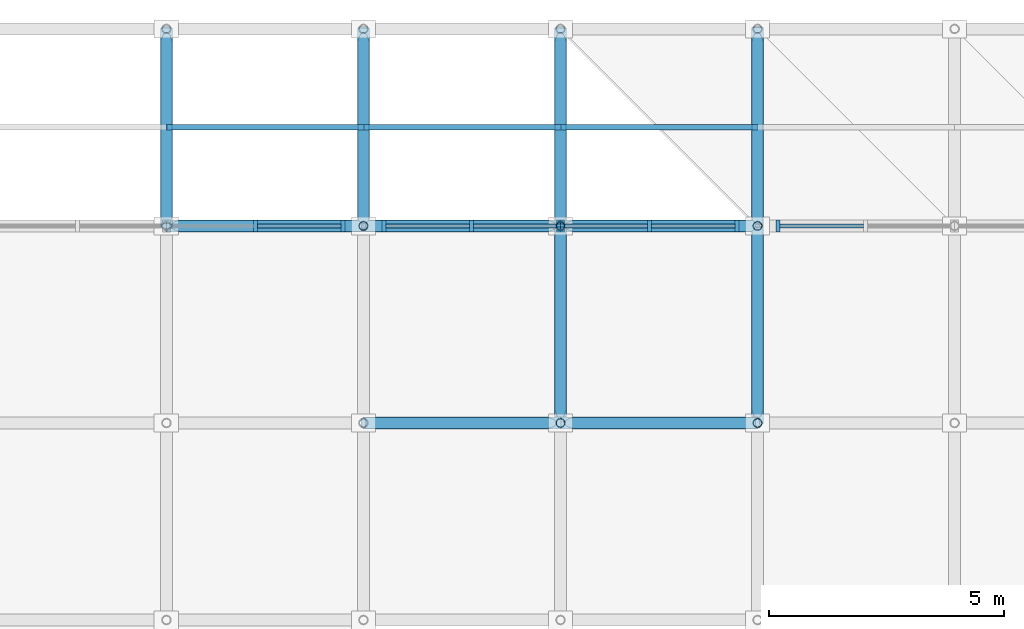
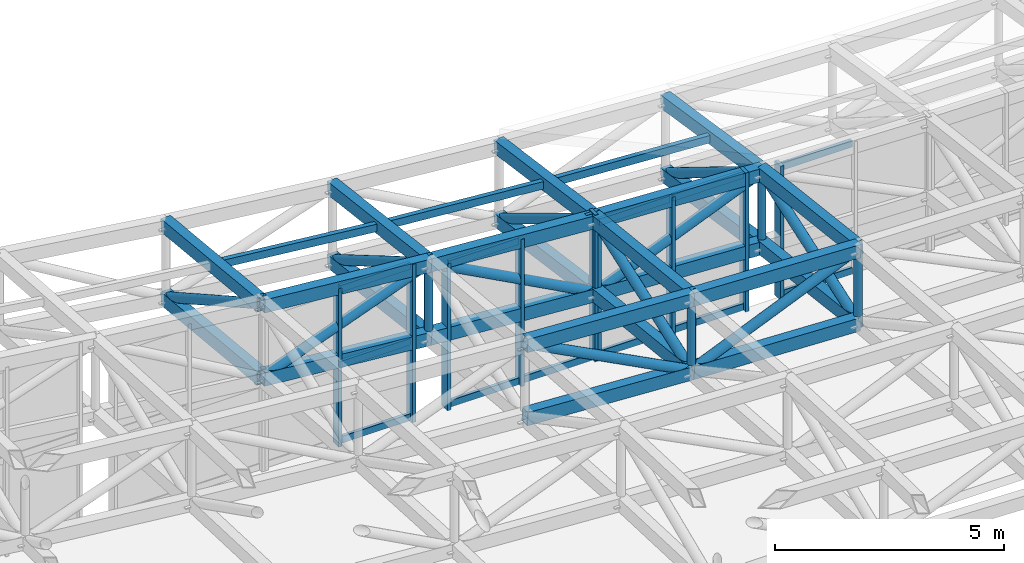
# One storey, part 36 of 111: 63 members, 4 elements without a shape of their own.
"""IFC4 building model written with IfcOpenShell, lengths in metres."""

from ifc_helpers import new_model, si_unit, direction, frame, origin, origin_2d, place, context, subcontext, project, spatial, rectangle, hollow_rectangle, hollow_circle, extrude, material, material_profile, profile_set, type_object, element, aggregate, save


model = new_model("IFC4")

# Units and contexts
model_context = context("Model", 3, precision=1e-05, world=origin(), true_north=direction((0.0, 1.0)))
body_context = subcontext(model_context, "Body", "Model", "MODEL_VIEW")
ifc_project = project(units=[si_unit("LENGTHUNIT", "METRE"), si_unit("AREAUNIT", "SQUARE_METRE"), si_unit("VOLUMEUNIT", "CUBIC_METRE"), si_unit("PLANEANGLEUNIT", "RADIAN"), si_unit("MASSUNIT", "GRAM", prefix="KILO")], contexts=[model_context])

# Site, building, storey
site_placement = place(None, origin())
site = spatial("IfcSite", under=ifc_project, at=site_placement, CompositionType="ELEMENT")
building_placement = place(site_placement, origin())
building = spatial("IfcBuilding", under=site, at=building_placement, Name="Cumbredor Promenade Congress Hotel", CompositionType="ELEMENT")
storey_placement = place(building_placement, frame((0.0, 0.0, 15.1201171875)))
storey = spatial("IfcBuildingStorey", under=building, at=storey_placement, Name="L04", CompositionType="ELEMENT", Elevation=15.1201171875)

# Curtain wall, members
ifc_material_1 = material(Name="Thermally broken anodized aluminium and low-E glass", Category="aluminium")
curtain_wall_type = type_object("IfcCurtainWallType", Name="Stepped Pavilion Clerestory Curtain Wall CW-06", PredefinedType="NOTDEFINED", material=ifc_material_1)
curtain_wall_1_placement = place(storey_placement, origin())
curtain_wall_1 = element("IfcCurtainWall", 1, at=curtain_wall_1_placement, inside=storey, type_object=curtain_wall_type, Name="Pre-Function and Breakout Meeting Forum N Glazed Clerestory 6", PredefinedType="NOTDEFINED")
ifc_material_2 = material(Name="Thermally broken anodized aluminium", Category="aluminium")
ifc_material_profile_1 = material_profile(ifc_material_2, rectangle(XDim=0.0849609375, YDim=0.260009765625, at=origin_2d()), Name="ALU MULLION CLERESTORY 85x260")
ifc_profile_set_1 = profile_set([ifc_material_profile_1], Name="Thermally broken anodized aluminium")
member_type_1 = type_object("IfcMemberType", Name="Curtain Wall Mullion ML-04", PredefinedType="MULLION", material=ifc_profile_set_1)
member_1_placement = place(storey_placement, frame((115.300048828125, 117.60009765625, -0.01806640625), z_axis=(0.0, 0.0, 1.0), x_axis=(1.0, 0.0, 0.0)))
member_1 = element("IfcMember", 2, at=member_1_placement, type_object=member_type_1, Name="Pre-Function and Breakout Meeting Forum N Glazed Clerestory 6 Mullion 2", PredefinedType="MULLION", context=body_context, shape_type="SweptSolid", body=[
    extrude(rectangle(XDim=0.0849609375, YDim=0.260009765625, at=origin_2d()), origin(), (0.0, 0.0, 1.0), 4.221435546875),
])
member_2_placement = place(storey_placement, frame((117.159912109375, 117.60009765625, -0.01806640625), z_axis=(0.0, 0.0, 1.0), x_axis=(1.0, 0.0, 0.0)))
member_2 = element("IfcMember", 3, at=member_2_placement, type_object=member_type_1, Name="Pre-Function and Breakout Meeting Forum N Glazed Clerestory 6 Mullion 3", PredefinedType="MULLION", context=body_context, shape_type="SweptSolid", body=[
    extrude(rectangle(XDim=0.0849609375, YDim=0.260009765625, at=origin_2d()), origin(), (0.0, 0.0, 1.0), 4.221435546875),
])

curtain_wall_2_placement = place(storey_placement, origin())
curtain_wall_2 = element("IfcCurtainWall", 4, at=curtain_wall_2_placement, inside=storey, type_object=curtain_wall_type, Name="Pre-Function and Breakout Meeting Forum N Glazed Clerestory 7", PredefinedType="NOTDEFINED")
member_3_placement = place(storey_placement, frame((118.0400390625, 117.60009765625, -0.01806640625), z_axis=(0.0, 0.0, 1.0), x_axis=(1.0, 0.0, 0.0)))
member_3 = element("IfcMember", 5, at=member_3_placement, type_object=member_type_1, Name="Pre-Function and Breakout Meeting Forum N Glazed Clerestory 7 Mullion 1", PredefinedType="MULLION", context=body_context, shape_type="SweptSolid", body=[
    extrude(rectangle(XDim=0.0849609375, YDim=0.260009765625, at=origin_2d()), origin(), (0.0, 0.0, 1.0), 3.92626953125),
])
member_4_placement = place(storey_placement, frame((119.89990234375, 117.60009765625, -0.01806640625), z_axis=(0.0, 0.0, 1.0), x_axis=(1.0, 0.0, 0.0)))
member_4 = element("IfcMember", 6, at=member_4_placement, type_object=member_type_1, Name="Pre-Function and Breakout Meeting Forum N Glazed Clerestory 7 Mullion 2", PredefinedType="MULLION", context=body_context, shape_type="SweptSolid", body=[
    extrude(rectangle(XDim=0.0849609375, YDim=0.260009765625, at=origin_2d()), origin(), (0.0, 0.0, 1.0), 3.92626953125),
])
member_5_placement = place(storey_placement, frame((121.760009765625, 117.60009765625, -0.01806640625), z_axis=(0.0, 0.0, 1.0), x_axis=(1.0, 0.0, 0.0)))
member_5 = element("IfcMember", 7, at=member_5_placement, type_object=member_type_1, Name="Pre-Function and Breakout Meeting Forum N Glazed Clerestory 7 Mullion 3", PredefinedType="MULLION", context=body_context, shape_type="SweptSolid", body=[
    extrude(rectangle(XDim=0.0849609375, YDim=0.260009765625, at=origin_2d()), origin(), (0.0, 0.0, 1.0), 3.92626953125),
])

curtain_wall_3_placement = place(storey_placement, origin())
curtain_wall_3 = element("IfcCurtainWall", 8, at=curtain_wall_3_placement, inside=storey, type_object=curtain_wall_type, Name="Pre-Function and Breakout Meeting Forum N Glazed Clerestory 8", PredefinedType="NOTDEFINED")
member_6_placement = place(storey_placement, frame((121.840087890625, 117.60009765625, -0.01806640625), z_axis=(0.0, 0.0, 1.0), x_axis=(1.0, 0.0, 0.0)))
member_6 = element("IfcMember", 9, at=member_6_placement, type_object=member_type_1, Name="Pre-Function and Breakout Meeting Forum N Glazed Clerestory 8 Mullion 1", PredefinedType="MULLION", context=body_context, shape_type="SweptSolid", body=[
    extrude(rectangle(XDim=0.0849609375, YDim=0.260009765625, at=origin_2d()), origin(), (0.0, 0.0, 1.0), 3.71533203125),
])
member_7_placement = place(storey_placement, frame((123.699951171875, 117.60009765625, -0.01806640625), z_axis=(0.0, 0.0, 1.0), x_axis=(1.0, 0.0, 0.0)))
member_7 = element("IfcMember", 10, at=member_7_placement, type_object=member_type_1, Name="Pre-Function and Breakout Meeting Forum N Glazed Clerestory 8 Mullion 2", PredefinedType="MULLION", context=body_context, shape_type="SweptSolid", body=[
    extrude(rectangle(XDim=0.0849609375, YDim=0.260009765625, at=origin_2d()), origin(), (0.0, 0.0, 1.0), 3.71533203125),
])
member_8_placement = place(storey_placement, frame((125.56005859375, 117.60009765625, -0.01806640625), z_axis=(0.0, 0.0, 1.0), x_axis=(1.0, 0.0, 0.0)))
member_8 = element("IfcMember", 11, at=member_8_placement, type_object=member_type_1, Name="Pre-Function and Breakout Meeting Forum N Glazed Clerestory 8 Mullion 3", PredefinedType="MULLION", context=body_context, shape_type="SweptSolid", body=[
    extrude(rectangle(XDim=0.0849609375, YDim=0.260009765625, at=origin_2d()), origin(), (0.0, 0.0, 1.0), 3.71533203125),
])

# Curtain wall, member
curtain_wall_4_placement = place(storey_placement, origin())
curtain_wall_4 = element("IfcCurtainWall", 12, at=curtain_wall_4_placement, inside=storey, type_object=curtain_wall_type, Name="Pre-Function and Breakout Meeting Forum N Glazed Clerestory 9", PredefinedType="NOTDEFINED")
member_9_placement = place(storey_placement, frame((126.43994140625, 117.60009765625, -0.01806640625), z_axis=(0.0, 0.0, 1.0), x_axis=(1.0, 0.0, 0.0)))
member_9 = element("IfcMember", 13, at=member_9_placement, type_object=member_type_1, Name="Pre-Function and Breakout Meeting Forum N Glazed Clerestory 9 Mullion 1", PredefinedType="MULLION", context=body_context, shape_type="SweptSolid", body=[
    extrude(rectangle(XDim=0.0849609375, YDim=0.260009765625, at=origin_2d()), origin(), (0.0, 0.0, 1.0), 3.5888671875),
])

# Member
ifc_material_profile_2 = material_profile(ifc_material_2, rectangle(XDim=0.080078125, YDim=0.179931640625, at=origin_2d()), Name="ALU TRANSOM 80x180")
ifc_profile_set_2 = profile_set([ifc_material_profile_2], Name="Thermally broken anodized aluminium")
member_type_2 = type_object("IfcMemberType", Name="Curtain Wall Transom TR-03", PredefinedType="USERDEFINED", material=ifc_profile_set_2)
member_10_placement = place(storey_placement, frame((115.342529296875, 117.60009765625, 0.079833984375), z_axis=(1.0, 0.0, 0.0), x_axis=(0.0, 1.0, 0.0)))
member_10 = element("IfcMember", 14, at=member_10_placement, type_object=member_type_2, Name="Pre-Function and Breakout Meeting Forum N Glazed Clerestory 6 Transom 2.1", ObjectType="TRANSOM", PredefinedType="USERDEFINED", context=body_context, shape_type="SweptSolid", body=[
    extrude(rectangle(XDim=0.080078125, YDim=0.179931640625, at=origin_2d()), origin(), (0.0, 0.0, 1.0), 1.77490234375),
])

member_11_placement = place(storey_placement, frame((115.342529296875, 117.60009765625, 2.08984375), z_axis=(1.0, 0.0, 0.0), x_axis=(0.0, 1.0, 0.0)))
member_11 = element("IfcMember", 15, at=member_11_placement, type_object=member_type_2, Name="Pre-Function and Breakout Meeting Forum N Glazed Clerestory 6 Transom 2.2", ObjectType="TRANSOM", PredefinedType="USERDEFINED", context=body_context, shape_type="SweptSolid", body=[
    extrude(rectangle(XDim=0.080078125, YDim=0.179931640625, at=origin_2d()), origin(), (0.0, 0.0, 1.0), 1.77490234375),
])

member_12_placement = place(storey_placement, frame((115.342529296875, 117.60009765625, 4.10986328125), z_axis=(1.0, 0.0, 0.0), x_axis=(0.0, 1.0, 0.0)))
member_12 = element("IfcMember", 16, at=member_12_placement, type_object=member_type_2, Name="Pre-Function and Breakout Meeting Forum N Glazed Clerestory 6 Transom 2.3", ObjectType="TRANSOM", PredefinedType="USERDEFINED", context=body_context, shape_type="SweptSolid", body=[
    extrude(rectangle(XDim=0.080078125, YDim=0.179931640625, at=origin_2d()), origin(), (0.0, 0.0, 1.0), 1.77490234375),
])

aggregate(curtain_wall_1, [member_1, member_2, member_10, member_11, member_12])

member_13_placement = place(storey_placement, frame((118.08251953125, 117.60009765625, 0.079833984375), z_axis=(1.0, 0.0, 0.0), x_axis=(0.0, 1.0, 0.0)))
member_13 = element("IfcMember", 17, at=member_13_placement, type_object=member_type_2, Name="Pre-Function and Breakout Meeting Forum N Glazed Clerestory 7 Transom 1.1", ObjectType="TRANSOM", PredefinedType="USERDEFINED", context=body_context, shape_type="SweptSolid", body=[
    extrude(rectangle(XDim=0.080078125, YDim=0.179931640625, at=origin_2d()), origin(), (0.0, 0.0, 1.0), 1.77490234375),
])

member_14_placement = place(storey_placement, frame((118.08251953125, 117.60009765625, 3.809814453125), z_axis=(1.0, 0.0, 0.0), x_axis=(0.0, 1.0, 0.0)))
member_14 = element("IfcMember", 18, at=member_14_placement, type_object=member_type_2, Name="Pre-Function and Breakout Meeting Forum N Glazed Clerestory 7 Transom 1.2", ObjectType="TRANSOM", PredefinedType="USERDEFINED", context=body_context, shape_type="SweptSolid", body=[
    extrude(rectangle(XDim=0.080078125, YDim=0.179931640625, at=origin_2d()), origin(), (0.0, 0.0, 1.0), 1.77490234375),
])

member_15_placement = place(storey_placement, frame((119.9423828125, 117.60009765625, 0.079833984375), z_axis=(1.0, 0.0, 0.0), x_axis=(0.0, 1.0, 0.0)))
member_15 = element("IfcMember", 19, at=member_15_placement, type_object=member_type_2, Name="Pre-Function and Breakout Meeting Forum N Glazed Clerestory 7 Transom 2.1", ObjectType="TRANSOM", PredefinedType="USERDEFINED", context=body_context, shape_type="SweptSolid", body=[
    extrude(rectangle(XDim=0.080078125, YDim=0.179931640625, at=origin_2d()), origin(), (0.0, 0.0, 1.0), 1.775146484375),
])

member_16_placement = place(storey_placement, frame((119.9423828125, 117.60009765625, 3.809814453125), z_axis=(1.0, 0.0, 0.0), x_axis=(0.0, 1.0, 0.0)))
member_16 = element("IfcMember", 20, at=member_16_placement, type_object=member_type_2, Name="Pre-Function and Breakout Meeting Forum N Glazed Clerestory 7 Transom 2.2", ObjectType="TRANSOM", PredefinedType="USERDEFINED", context=body_context, shape_type="SweptSolid", body=[
    extrude(rectangle(XDim=0.080078125, YDim=0.179931640625, at=origin_2d()), origin(), (0.0, 0.0, 1.0), 1.775146484375),
])

aggregate(curtain_wall_2, [member_3, member_4, member_5, member_13, member_14, member_15, member_16])

member_17_placement = place(storey_placement, frame((121.882568359375, 117.60009765625, 0.079833984375), z_axis=(1.0, 0.0, 0.0), x_axis=(0.0, 1.0, 0.0)))
member_17 = element("IfcMember", 21, at=member_17_placement, type_object=member_type_2, Name="Pre-Function and Breakout Meeting Forum N Glazed Clerestory 8 Transom 1.1", ObjectType="TRANSOM", PredefinedType="USERDEFINED", context=body_context, shape_type="SweptSolid", body=[
    extrude(rectangle(XDim=0.080078125, YDim=0.179931640625, at=origin_2d()), origin(), (0.0, 0.0, 1.0), 1.77490234375),
])

member_18_placement = place(storey_placement, frame((121.882568359375, 117.60009765625, 3.599853515625), z_axis=(1.0, 0.0, 0.0), x_axis=(0.0, 1.0, 0.0)))
member_18 = element("IfcMember", 22, at=member_18_placement, type_object=member_type_2, Name="Pre-Function and Breakout Meeting Forum N Glazed Clerestory 8 Transom 1.2", ObjectType="TRANSOM", PredefinedType="USERDEFINED", context=body_context, shape_type="SweptSolid", body=[
    extrude(rectangle(XDim=0.080078125, YDim=0.179931640625, at=origin_2d()), origin(), (0.0, 0.0, 1.0), 1.77490234375),
])

member_19_placement = place(storey_placement, frame((123.742431640625, 117.60009765625, 0.079833984375), z_axis=(1.0, 0.0, 0.0), x_axis=(0.0, 1.0, 0.0)))
member_19 = element("IfcMember", 23, at=member_19_placement, type_object=member_type_2, Name="Pre-Function and Breakout Meeting Forum N Glazed Clerestory 8 Transom 2.1", ObjectType="TRANSOM", PredefinedType="USERDEFINED", context=body_context, shape_type="SweptSolid", body=[
    extrude(rectangle(XDim=0.080078125, YDim=0.179931640625, at=origin_2d()), origin(), (0.0, 0.0, 1.0), 1.775146484375),
])

member_20_placement = place(storey_placement, frame((123.742431640625, 117.60009765625, 3.599853515625), z_axis=(1.0, 0.0, 0.0), x_axis=(0.0, 1.0, 0.0)))
member_20 = element("IfcMember", 24, at=member_20_placement, type_object=member_type_2, Name="Pre-Function and Breakout Meeting Forum N Glazed Clerestory 8 Transom 2.2", ObjectType="TRANSOM", PredefinedType="USERDEFINED", context=body_context, shape_type="SweptSolid", body=[
    extrude(rectangle(XDim=0.080078125, YDim=0.179931640625, at=origin_2d()), origin(), (0.0, 0.0, 1.0), 1.775146484375),
])

aggregate(curtain_wall_3, [member_6, member_7, member_8, member_17, member_18, member_19, member_20])

member_21_placement = place(storey_placement, frame((126.482421875, 117.60009765625, 0.079833984375), z_axis=(1.0, 0.0, 0.0), x_axis=(0.0, 1.0, 0.0)))
member_21 = element("IfcMember", 25, at=member_21_placement, type_object=member_type_2, Name="Pre-Function and Breakout Meeting Forum N Glazed Clerestory 9 Transom 1.1", ObjectType="TRANSOM", PredefinedType="USERDEFINED", context=body_context, shape_type="SweptSolid", body=[
    extrude(rectangle(XDim=0.080078125, YDim=0.179931640625, at=origin_2d()), origin(), (0.0, 0.0, 1.0), 1.775146484375),
])

member_22_placement = place(storey_placement, frame((126.482421875, 117.60009765625, 3.469970703125), z_axis=(1.0, 0.0, 0.0), x_axis=(0.0, 1.0, 0.0)))
member_22 = element("IfcMember", 26, at=member_22_placement, type_object=member_type_2, Name="Pre-Function and Breakout Meeting Forum N Glazed Clerestory 9 Transom 1.2", ObjectType="TRANSOM", PredefinedType="USERDEFINED", context=body_context, shape_type="SweptSolid", body=[
    extrude(rectangle(XDim=0.080078125, YDim=0.179931640625, at=origin_2d()), origin(), (0.0, 0.0, 1.0), 1.775146484375),
])

aggregate(curtain_wall_4, [member_9, member_21, member_22])

# Members
ifc_material_3 = material(Name="Steel ASTM A500 Grade C", Category="steel")
ifc_material_profile_3 = material_profile(ifc_material_3, hollow_rectangle(XDim=0.25, YDim=0.35009765625, WallThickness=0.01611328125, at=origin_2d()), Name="HSS 350x250x16")
ifc_profile_set_3 = profile_set([ifc_material_profile_3], Name="Steel ASTM A500 Grade C")
member_type_3 = type_object("IfcMemberType", Name="Forum Roof Truss Chord", PredefinedType="CHORD", material=ifc_profile_set_3)
for number, where, z_axis, x_axis, name in (
    (27, (117.60009765625, 113.39990234375, 4.40234375), (0.998414117425, 0.0, -0.05629609335), (0.0, 1.0, 0.0), "Pre-Function and Breakout Meeting Forum X Top Chord 8.9"),
    (28, (117.60009765625, 113.39990234375, 2.452392578125), (0.998414117425, 0.0, -0.05629609335), (0.0, 1.0, 0.0), "Pre-Function and Breakout Meeting Forum X Bottom Chord 8.9"),
):
    element("IfcMember", number, at=place(storey_placement, frame(where, z_axis=z_axis, x_axis=x_axis)), inside=storey, type_object=member_type_3, Name=name, PredefinedType="CHORD", context=body_context, shape_type="SweptSolid", body=[
        extrude(hollow_rectangle(XDim=0.25, YDim=0.35009765625, WallThickness=0.01611328125, at=origin_2d()), origin(), (0.0, 0.0, 1.0), 4.20654296875),
    ])
for number, where, z_axis, x_axis, name in (
    (29, (121.800048828125, 113.39990234375, 4.16552734375), (0.999187261443, 0.0, -0.040309013512), (0.0, 1.0, 0.0), "Pre-Function and Breakout Meeting Forum X Top Chord 9.9"),
    (30, (121.800048828125, 113.39990234375, 2.215576171875), (0.999187261443, 0.0, -0.040309013512), (0.0, 1.0, 0.0), "Pre-Function and Breakout Meeting Forum X Bottom Chord 9.9"),
):
    element("IfcMember", number, at=place(storey_placement, frame(where, z_axis=z_axis, x_axis=x_axis)), inside=storey, type_object=member_type_3, Name=name, PredefinedType="CHORD", context=body_context, shape_type="SweptSolid", body=[
        extrude(hollow_rectangle(XDim=0.25, YDim=0.35009765625, WallThickness=0.01611328125, at=origin_2d()), origin(), (0.0, 0.0, 1.0), 4.203369140625),
    ])
for number, where, z_axis, x_axis, name in (
    (31, (113.39990234375, 117.60009765625, 4.3818359375), (0.995945237158, 0.0, -0.089961572805), (0.0, 1.0, 0.0), "Pre-Function and Breakout Meeting Forum X Top Chord 7.10"),
    (32, (113.39990234375, 117.60009765625, 2.431884765625), (0.995945237158, 0.0, -0.089961572805), (0.0, 1.0, 0.0), "Pre-Function and Breakout Meeting Forum X Bottom Chord 7.10"),
):
    element("IfcMember", number, at=place(storey_placement, frame(where, z_axis=z_axis, x_axis=x_axis)), inside=storey, type_object=member_type_3, Name=name, PredefinedType="CHORD", context=body_context, shape_type="SweptSolid", body=[
        extrude(hollow_rectangle(XDim=0.25, YDim=0.35009765625, WallThickness=0.01611328125, at=origin_2d()), origin(), (0.0, 0.0, 1.0), 4.21728515625),
    ])
for number, where, z_axis, x_axis, name in (
    (33, (117.60009765625, 117.60009765625, 4.00244140625), (0.997535524008, 0.0, -0.070163226417), (0.0, 1.0, 0.0), "Pre-Function and Breakout Meeting Forum X Top Chord 8.10"),
    (34, (117.60009765625, 117.60009765625, 2.052490234375), (0.997535524008, 0.0, -0.070163226417), (0.0, 1.0, 0.0), "Pre-Function and Breakout Meeting Forum X Bottom Chord 8.10"),
):
    element("IfcMember", number, at=place(storey_placement, frame(where, z_axis=z_axis, x_axis=x_axis)), inside=storey, type_object=member_type_3, Name=name, PredefinedType="CHORD", context=body_context, shape_type="SweptSolid", body=[
        extrude(hollow_rectangle(XDim=0.25, YDim=0.35009765625, WallThickness=0.01611328125, at=origin_2d()), origin(), (0.0, 0.0, 1.0), 4.21044921875),
    ])
for number, where, z_axis, x_axis, name in (
    (35, (121.800048828125, 117.60009765625, 3.70703125), (0.998741166039, 0.0, -0.050160574752), (0.0, 1.0, 0.0), "Pre-Function and Breakout Meeting Forum X Top Chord 9.10"),
    (36, (121.800048828125, 117.60009765625, 1.757080078125), (0.998741166039, 0.0, -0.050160574752), (0.0, 1.0, 0.0), "Pre-Function and Breakout Meeting Forum X Bottom Chord 9.10"),
):
    element("IfcMember", number, at=place(storey_placement, frame(where, z_axis=z_axis, x_axis=x_axis)), inside=storey, type_object=member_type_3, Name=name, PredefinedType="CHORD", context=body_context, shape_type="SweptSolid", body=[
        extrude(hollow_rectangle(XDim=0.25, YDim=0.35009765625, WallThickness=0.01611328125, at=origin_2d()), origin(), (0.0, 0.0, 1.0), 4.205322265625),
    ])
for number, where, z_axis, x_axis, name in (
    (37, (113.39990234375, 117.60009765625, 4.3818359375), (0.0, 0.995124432433, -0.098627399715), (-1.0, 0.0, 0.0), "Pre-Function and Breakout Meeting Forum Y Top Chord 7.10"),
    (38, (113.39990234375, 117.60009765625, 2.431884765625), (0.0, 0.995124432433, -0.098627399715), (-1.0, 0.0, 0.0), "Pre-Function and Breakout Meeting Forum Y Bottom Chord 7.10"),
):
    element("IfcMember", number, at=place(storey_placement, frame(where, z_axis=z_axis, x_axis=x_axis)), inside=storey, type_object=member_type_3, Name=name, PredefinedType="CHORD", context=body_context, shape_type="SweptSolid", body=[
        extrude(hollow_rectangle(XDim=0.25, YDim=0.35009765625, WallThickness=0.01611328125, at=origin_2d()), origin(), (0.0, 0.0, 1.0), 4.220458984375),
    ])
for number, where, z_axis, x_axis, name in (
    (39, (117.60009765625, 117.60009765625, 4.00244140625), (0.0, 0.992631496019, -0.121172245634), (-1.0, 0.0, 0.0), "Pre-Function and Breakout Meeting Forum Y Top Chord 8.10"),
    (40, (117.60009765625, 117.60009765625, 2.052490234375), (0.0, 0.992631496019, -0.121172245634), (-1.0, 0.0, 0.0), "Pre-Function and Breakout Meeting Forum Y Bottom Chord 8.10"),
):
    element("IfcMember", number, at=place(storey_placement, frame(where, z_axis=z_axis, x_axis=x_axis)), inside=storey, type_object=member_type_3, Name=name, PredefinedType="CHORD", context=body_context, shape_type="SweptSolid", body=[
        extrude(hollow_rectangle(XDim=0.25, YDim=0.35009765625, WallThickness=0.01611328125, at=origin_2d()), origin(), (0.0, 0.0, 1.0), 4.231201171875),
    ])
for number, where, z_axis, x_axis, name in (
    (41, (121.800048828125, 113.39990234375, 4.16552734375), (0.0, 0.99409469892, -0.108516033746), (-1.0, 0.0, 0.0), "Pre-Function and Breakout Meeting Forum Y Top Chord 9.9"),
    (42, (121.800048828125, 113.39990234375, 2.215576171875), (0.0, 0.99409469892, -0.108516033746), (-1.0, 0.0, 0.0), "Pre-Function and Breakout Meeting Forum Y Bottom Chord 9.9"),
):
    element("IfcMember", number, at=place(storey_placement, frame(where, z_axis=z_axis, x_axis=x_axis)), inside=storey, type_object=member_type_3, Name=name, PredefinedType="CHORD", context=body_context, shape_type="SweptSolid", body=[
        extrude(hollow_rectangle(XDim=0.25, YDim=0.35009765625, WallThickness=0.01611328125, at=origin_2d()), origin(), (0.0, 0.0, 1.0), 4.22509765625),
    ])
for number, where, z_axis, x_axis, name in (
    (43, (121.800048828125, 117.60009765625, 3.70703125), (0.0, 0.990352968068, -0.138567668089), (-1.0, 0.0, 0.0), "Pre-Function and Breakout Meeting Forum Y Top Chord 9.10"),
    (44, (121.800048828125, 117.60009765625, 1.757080078125), (0.0, 0.990352968068, -0.138567668089), (-1.0, 0.0, 0.0), "Pre-Function and Breakout Meeting Forum Y Bottom Chord 9.10"),
):
    element("IfcMember", number, at=place(storey_placement, frame(where, z_axis=z_axis, x_axis=x_axis)), inside=storey, type_object=member_type_3, Name=name, PredefinedType="CHORD", context=body_context, shape_type="SweptSolid", body=[
        extrude(hollow_rectangle(XDim=0.25, YDim=0.35009765625, WallThickness=0.01611328125, at=origin_2d()), origin(), (0.0, 0.0, 1.0), 4.240966796875),
    ])
for number, where, z_axis, x_axis, name in (
    (45, (126.0, 113.39990234375, 3.99609375), (0.0, 0.99298891944, -0.118207469601), (-1.0, 0.0, 0.0), "Pre-Function and Breakout Meeting Forum Y Top Chord 10.9"),
    (46, (126.0, 113.39990234375, 2.046142578125), (0.0, 0.99298891944, -0.118207469601), (-1.0, 0.0, 0.0), "Pre-Function and Breakout Meeting Forum Y Bottom Chord 10.9"),
):
    element("IfcMember", number, at=place(storey_placement, frame(where, z_axis=z_axis, x_axis=x_axis)), inside=storey, type_object=member_type_3, Name=name, PredefinedType="CHORD", context=body_context, shape_type="SweptSolid", body=[
        extrude(hollow_rectangle(XDim=0.25, YDim=0.35009765625, WallThickness=0.01611328125, at=origin_2d()), origin(), (0.0, 0.0, 1.0), 4.229736328125),
    ])
for number, where, z_axis, x_axis, name in (
    (47, (126.0, 117.60009765625, 3.49609375), (0.0, 0.988549058169, -0.15089983298), (-1.0, 0.0, 0.0), "Pre-Function and Breakout Meeting Forum Y Top Chord 10.10"),
    (48, (126.0, 117.60009765625, 1.546142578125), (0.0, 0.988549058169, -0.15089983298), (-1.0, 0.0, 0.0), "Pre-Function and Breakout Meeting Forum Y Bottom Chord 10.10"),
):
    element("IfcMember", number, at=place(storey_placement, frame(where, z_axis=z_axis, x_axis=x_axis)), inside=storey, type_object=member_type_3, Name=name, PredefinedType="CHORD", context=body_context, shape_type="SweptSolid", body=[
        extrude(hollow_rectangle(XDim=0.25, YDim=0.35009765625, WallThickness=0.01611328125, at=origin_2d()), origin(), (0.0, 0.0, 1.0), 4.24853515625),
    ])
ifc_material_profile_4 = material_profile(ifc_material_3, hollow_rectangle(XDim=0.1201171875, YDim=0.199951171875, WallThickness=0.010009765625, at=origin_2d()), Name="HSS 200x120x10")
ifc_profile_set_4 = profile_set([ifc_material_profile_4], Name="Steel ASTM A500 Grade C")
member_type_4 = type_object("IfcMemberType", Name="Roof Purlin HSS200x120", PredefinedType="PURLIN", material=ifc_profile_set_4)
member_23_placement = place(storey_placement, frame((113.39990234375, 119.699951171875, 4.153564453125), z_axis=(0.994860448343, 0.0, -0.101255559466), x_axis=(0.0, 1.0, 0.0)))
element("IfcMember", 49, at=member_23_placement, inside=storey, type_object=member_type_4, Name="Pre-Function and Breakout Meeting Forum Roof Eave Purlin 7.10", PredefinedType="PURLIN", context=body_context, shape_type="SweptSolid", body=[
    extrude(hollow_rectangle(XDim=0.1201171875, YDim=0.199951171875, WallThickness=0.010009765625, at=origin_2d()), origin(), (0.0, 0.0, 1.0), 4.221923828125),
])
member_24_placement = place(storey_placement, frame((117.60009765625, 119.699951171875, 3.72607421875), z_axis=(0.996875975004, 0.0, -0.07898284915), x_axis=(0.0, 1.0, 0.0)))
element("IfcMember", 50, at=member_24_placement, inside=storey, type_object=member_type_4, Name="Pre-Function and Breakout Meeting Forum Roof Eave Purlin 8.10", PredefinedType="PURLIN", context=body_context, shape_type="SweptSolid", body=[
    extrude(hollow_rectangle(XDim=0.1201171875, YDim=0.199951171875, WallThickness=0.010009765625, at=origin_2d()), origin(), (0.0, 0.0, 1.0), 4.213134765625),
])
member_25_placement = place(storey_placement, frame((121.800048828125, 119.699951171875, 3.393310546875), z_axis=(0.998401042431, 0.0, -0.056527501908), x_axis=(0.0, 1.0, 0.0)))
element("IfcMember", 51, at=member_25_placement, inside=storey, type_object=member_type_4, Name="Pre-Function and Breakout Meeting Forum Roof Eave Purlin 9.10", PredefinedType="PURLIN", context=body_context, shape_type="SweptSolid", body=[
    extrude(hollow_rectangle(XDim=0.1201171875, YDim=0.199951171875, WallThickness=0.010009765625, at=origin_2d()), origin(), (0.0, 0.0, 1.0), 4.206787109375),
])
ifc_material_profile_5 = material_profile(ifc_material_3, hollow_circle(Radius=0.122314453125, WallThickness=0.012451171875, at=origin_2d()), Name="CHS 244.5x12.5")
ifc_profile_set_5 = profile_set([ifc_material_profile_5], Name="Steel ASTM A500 Grade C")
member_type_5 = type_object("IfcMemberType", Name="Space Frame Web Diagonal D2", PredefinedType="BRACE", material=ifc_profile_set_5)
member_26_placement = place(storey_placement, frame((117.60009765625, 113.39990234375, 4.40234375), z_axis=(0.886975246992, 0.0, -0.461816967233), x_axis=(0.0, 1.0, 0.0)))
element("IfcMember", 52, at=member_26_placement, inside=storey, type_object=member_type_5, Name="Pre-Function and Breakout Meeting Forum X Web Diagonal 8.9", PredefinedType="BRACE", context=body_context, shape_type="SweptSolid", body=[
    extrude(hollow_circle(Radius=0.122314453125, WallThickness=0.012451171875, at=origin_2d()), origin(), (0.0, 0.0, 1.0), 4.735107421875),
])
member_27_placement = place(storey_placement, frame((121.800048828125, 113.39990234375, 2.215576171875), z_axis=(0.920682624594, 0.0, 0.390312060755), x_axis=(0.0, 1.0, 0.0)))
element("IfcMember", 53, at=member_27_placement, inside=storey, type_object=member_type_5, Name="Pre-Function and Breakout Meeting Forum X Web Diagonal 9.9", PredefinedType="BRACE", context=body_context, shape_type="SweptSolid", body=[
    extrude(hollow_circle(Radius=0.122314453125, WallThickness=0.012451171875, at=origin_2d()), origin(), (0.0, 0.0, 1.0), 4.561767578125),
])
member_28_placement = place(storey_placement, frame((113.39990234375, 117.60009765625, 2.431884765625), z_axis=(0.936659901907, 0.0, 0.350240243488), x_axis=(0.0, 1.0, 0.0)))
element("IfcMember", 54, at=member_28_placement, inside=storey, type_object=member_type_5, Name="Pre-Function and Breakout Meeting Forum X Web Diagonal 7.10", PredefinedType="BRACE", context=body_context, shape_type="SweptSolid", body=[
    extrude(hollow_circle(Radius=0.122314453125, WallThickness=0.012451171875, at=origin_2d()), origin(), (0.0, 0.0, 1.0), 4.484130859375),
])
member_29_placement = place(storey_placement, frame((117.60009765625, 117.60009765625, 4.00244140625), z_axis=(0.881882794883, 0.0, -0.471468701072), x_axis=(0.0, 1.0, 0.0)))
element("IfcMember", 55, at=member_29_placement, inside=storey, type_object=member_type_5, Name="Pre-Function and Breakout Meeting Forum X Web Diagonal 8.10", PredefinedType="BRACE", context=body_context, shape_type="SweptSolid", body=[
    extrude(hollow_circle(Radius=0.122314453125, WallThickness=0.012451171875, at=origin_2d()), origin(), (0.0, 0.0, 1.0), 4.762451171875),
])
member_30_placement = place(storey_placement, frame((121.800048828125, 117.60009765625, 1.757080078125), z_axis=(0.923931095215, 0.0, 0.382558925258), x_axis=(0.0, 1.0, 0.0)))
element("IfcMember", 56, at=member_30_placement, inside=storey, type_object=member_type_5, Name="Pre-Function and Breakout Meeting Forum X Web Diagonal 9.10", PredefinedType="BRACE", context=body_context, shape_type="SweptSolid", body=[
    extrude(hollow_circle(Radius=0.122314453125, WallThickness=0.012451171875, at=origin_2d()), origin(), (0.0, 0.0, 1.0), 4.545654296875),
])
member_31_placement = place(storey_placement, frame((113.39990234375, 117.60009765625, 4.3818359375), z_axis=(0.0, 0.871243967196, -0.490850231359), x_axis=(-1.0, 0.0, 0.0)))
element("IfcMember", 57, at=member_31_placement, inside=storey, type_object=member_type_5, Name="Pre-Function and Breakout Meeting Forum Y Web Diagonal 7.10", PredefinedType="BRACE", context=body_context, shape_type="SweptSolid", body=[
    extrude(hollow_circle(Radius=0.122314453125, WallThickness=0.012451171875, at=origin_2d()), origin(), (0.0, 0.0, 1.0), 4.820556640625),
])
member_32_placement = place(storey_placement, frame((117.60009765625, 117.60009765625, 4.00244140625), z_axis=(0.0, 0.862643648817, -0.505812154021), x_axis=(-1.0, 0.0, 0.0)))
element("IfcMember", 58, at=member_32_placement, inside=storey, type_object=member_type_5, Name="Pre-Function and Breakout Meeting Forum Y Web Diagonal 8.10", PredefinedType="BRACE", context=body_context, shape_type="SweptSolid", body=[
    extrude(hollow_circle(Radius=0.122314453125, WallThickness=0.012451171875, at=origin_2d()), origin(), (0.0, 0.0, 1.0), 4.86865234375),
])
member_33_placement = place(storey_placement, frame((121.800048828125, 113.39990234375, 2.215576171875), z_axis=(0.0, 0.942352544983, 0.334621698285), x_axis=(-1.0, 0.0, 0.0)))
element("IfcMember", 59, at=member_33_placement, inside=storey, type_object=member_type_5, Name="Pre-Function and Breakout Meeting Forum Y Web Diagonal 9.9", PredefinedType="BRACE", context=body_context, shape_type="SweptSolid", body=[
    extrude(hollow_circle(Radius=0.122314453125, WallThickness=0.012451171875, at=origin_2d()), origin(), (0.0, 0.0, 1.0), 4.45703125),
])
member_34_placement = place(storey_placement, frame((121.800048828125, 117.60009765625, 3.70703125), z_axis=(0.0, 0.8559040724, -0.517134623526), x_axis=(-1.0, 0.0, 0.0)))
element("IfcMember", 60, at=member_34_placement, inside=storey, type_object=member_type_5, Name="Pre-Function and Breakout Meeting Forum Y Web Diagonal 9.10", PredefinedType="BRACE", context=body_context, shape_type="SweptSolid", body=[
    extrude(hollow_circle(Radius=0.122314453125, WallThickness=0.012451171875, at=origin_2d()), origin(), (0.0, 0.0, 1.0), 4.906982421875),
])
member_35_placement = place(storey_placement, frame((126.0, 113.39990234375, 2.046142578125), z_axis=(0.0, 0.945261402845, 0.326314082277), x_axis=(-1.0, 0.0, 0.0)))
element("IfcMember", 61, at=member_35_placement, inside=storey, type_object=member_type_5, Name="Pre-Function and Breakout Meeting Forum Y Web Diagonal 10.9", PredefinedType="BRACE", context=body_context, shape_type="SweptSolid", body=[
    extrude(hollow_circle(Radius=0.122314453125, WallThickness=0.012451171875, at=origin_2d()), origin(), (0.0, 0.0, 1.0), 4.443359375),
])
member_36_placement = place(storey_placement, frame((126.0, 117.60009765625, 3.49609375), z_axis=(0.0, 0.851071760638, -0.525049386482), x_axis=(-1.0, 0.0, 0.0)))
element("IfcMember", 62, at=member_36_placement, inside=storey, type_object=member_type_5, Name="Pre-Function and Breakout Meeting Forum Y Web Diagonal 10.10", PredefinedType="BRACE", context=body_context, shape_type="SweptSolid", body=[
    extrude(hollow_circle(Radius=0.122314453125, WallThickness=0.012451171875, at=origin_2d()), origin(), (0.0, 0.0, 1.0), 4.934814453125),
])
ifc_material_profile_6 = material_profile(ifc_material_3, hollow_circle(Radius=0.096923828125, WallThickness=0.010009765625, at=origin_2d()), Name="CHS 193.7x10")
ifc_profile_set_6 = profile_set([ifc_material_profile_6], Name="Steel ASTM A500 Grade C")
member_type_6 = type_object("IfcMemberType", Name="Space Frame Web Post P1", PredefinedType="BRACE", material=ifc_profile_set_6)
for number, where, z_axis, x_axis, name in (
    (63, (117.60009765625, 117.60009765625, 2.052490234375), (0.0, 0.0, 1.0), (1.0, 0.0, 0.0), "Pre-Function and Breakout Meeting Forum Space Frame Web Post 8.10"),
    (64, (121.800048828125, 113.39990234375, 2.215576171875), (0.0, 0.0, 1.0), (1.0, 0.0, 0.0), "Pre-Function and Breakout Meeting Forum Space Frame Web Post 9.9"),
    (65, (121.800048828125, 117.60009765625, 1.757080078125), (0.0, 0.0, 1.0), (1.0, 0.0, 0.0), "Pre-Function and Breakout Meeting Forum Space Frame Web Post 9.10"),
    (66, (126.0, 113.39990234375, 2.046142578125), (0.0, 0.0, 1.0), (1.0, 0.0, 0.0), "Pre-Function and Breakout Meeting Forum Space Frame Web Post 10.9"),
    (67, (126.0, 117.60009765625, 1.546142578125), (0.0, 0.0, 1.0), (1.0, 0.0, 0.0), "Pre-Function and Breakout Meeting Forum Space Frame Web Post 10.10"),
):
    element("IfcMember", number, at=place(storey_placement, frame(where, z_axis=z_axis, x_axis=x_axis)), inside=storey, type_object=member_type_6, Name=name, PredefinedType="BRACE", context=body_context, shape_type="SweptSolid", body=[
        extrude(hollow_circle(Radius=0.096923828125, WallThickness=0.010009765625, at=origin_2d()), origin(), (0.0, 0.0, 1.0), 1.949951171875),
    ])

save(model, "model.ifc")
